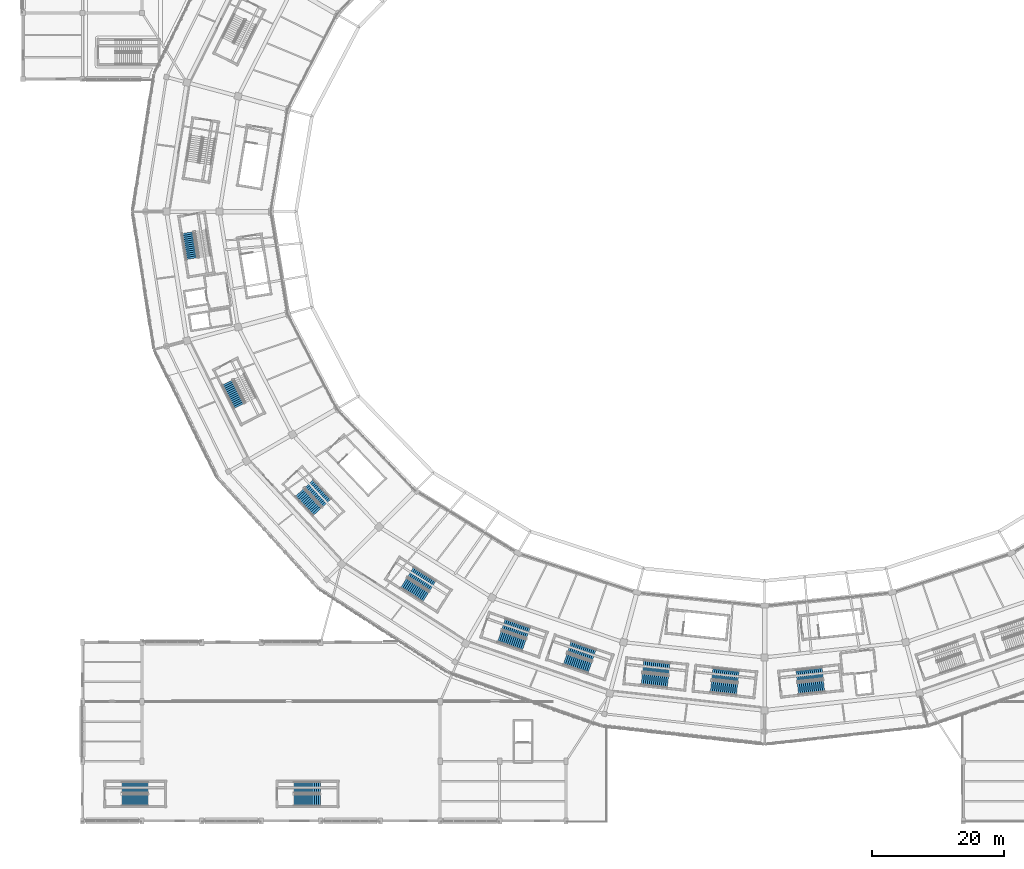
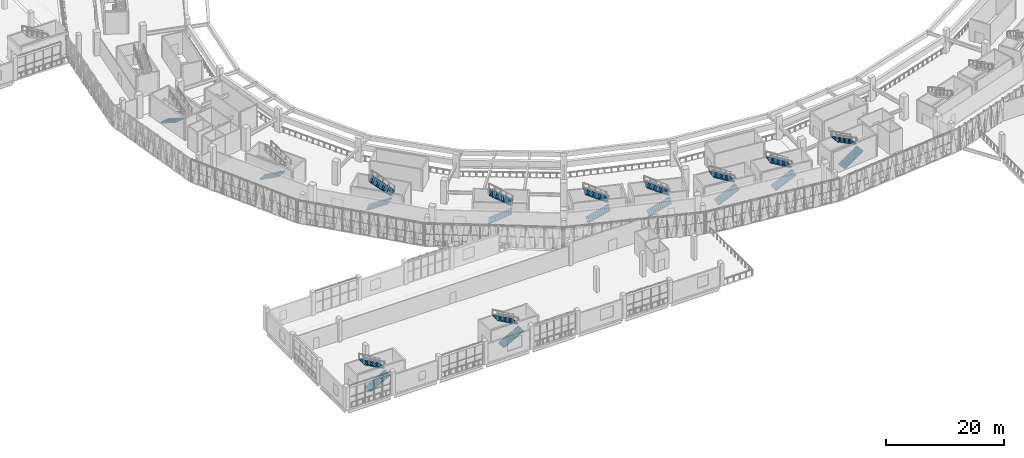
# One storey, part 114 of 179: 20 stair flights, 11 elements without a shape of their own.
"""IFC4 building model written with IfcOpenShell, lengths in metres."""

from ifc_helpers import new_model, si_unit, direction, frame, origin, place, context, subcontext, project, spatial, polyline, outline, extrude, material, type_object, element, aggregate, save


model = new_model("IFC4")

# Units and contexts
model_context = context("Model", 3, precision=1e-05, world=origin(), true_north=direction((0.0, 1.0)))
body_context = subcontext(model_context, "Body", "Model", "MODEL_VIEW")
ifc_project = project(units=[si_unit("LENGTHUNIT", "METRE"), si_unit("AREAUNIT", "SQUARE_METRE"), si_unit("VOLUMEUNIT", "CUBIC_METRE"), si_unit("PLANEANGLEUNIT", "RADIAN"), si_unit("MASSUNIT", "GRAM", prefix="KILO")], contexts=[model_context])

# Site, building, storey
site_placement = place(None, origin())
site = spatial("IfcSite", under=ifc_project, at=site_placement, CompositionType="ELEMENT")
building_placement = place(site_placement, origin())
building = spatial("IfcBuilding", under=site, at=building_placement, Name="Zevraka Park Crest Stadium", CompositionType="ELEMENT")
storey_placement = place(building_placement, frame((0.0, 0.0, 10.199951171875)))
storey = spatial("IfcBuildingStorey", under=building, at=storey_placement, Name="L02", CompositionType="ELEMENT", Elevation=10.199951171875)

# Stair, stair flight
ifc_material_1 = material(Name="Concrete C35/45", Category="concrete")
stair_type_1 = type_object("IfcStairType", Name="STA2", PredefinedType="HALF_TURN_STAIR", material=ifc_material_1)
stair_1_placement = place(storey_placement, origin())
stair_1 = element("IfcStair", 1, at=stair_1_placement, inside=storey, type_object=stair_type_1, Name="L02 Protected Concourse Exit Stair ST13", PredefinedType="HALF_TURN_STAIR")
ifc_material_2 = material(Name="Concrete C35/45", Category="concrete")
stair_flight_type_1 = type_object("IfcStairFlightType", Name="FLA2", PredefinedType="STRAIGHT", material=ifc_material_2)
stair_flight_1_placement = place(storey_placement, frame((24.9140625, 88.82666015625, 0.0), z_axis=(0.0, 0.0, 1.0), x_axis=(0.157261853897, -0.987556939781, 0.0)))
stair_flight_1 = element("IfcStairFlight", 2, at=stair_flight_1_placement, type_object=stair_flight_type_1, Name="ST13 flight 1", NumberOfRisers=14, NumberOfTreads=13, PredefinedType="STRAIGHT", RiserHeight=0.171428571, TreadLength=0.305, context=body_context, shape_type="SweptSolid", body=[
    extrude(outline(polyline([(0.0, 0.0), (0.0, 0.17138671875), (0.304931640625, 0.17138671875), (0.304931640625, 0.3427734375), (0.610107421875, 0.3427734375), (0.610107421875, 0.514404296875), (0.9150390625, 0.514404296875), (0.9150390625, 0.685791015625), (1.219970703125, 0.685791015625), (1.219970703125, 0.857177734375), (1.52490234375, 0.857177734375), (1.52490234375, 1.028564453125), (1.830078125, 1.028564453125), (1.830078125, 1.199951171875), (2.135009765625, 1.199951171875), (2.135009765625, 1.371337890625), (2.43994140625, 1.371337890625), (2.43994140625, 1.54296875), (2.7451171875, 1.54296875), (2.7451171875, 1.71435546875), (3.050048828125, 1.71435546875), (3.050048828125, 1.8857421875), (3.35498046875, 1.8857421875), (3.35498046875, 2.05712890625), (3.659912109375, 2.05712890625), (3.659912109375, 2.228515625), (3.965087890625, 2.228515625), (3.965087890625, 2.39990234375), (3.965087890625, 2.045166015625), (0.326416015625, 0.0), (0.0, 0.0)])), frame((0.0, 0.89990234375, 0.0), z_axis=(0.0, -1.0, 0.0), x_axis=(1.0, 0.0, 0.0)), (0.0, 0.0, 1.0), 1.800048828125),
])
aggregate(stair_1, [stair_flight_1])

stair_2_placement = place(storey_placement, origin())
stair_2 = element("IfcStair", 3, at=stair_2_placement, inside=storey, type_object=stair_type_1, Name="L02 Protected Concourse Exit Stair ST14", PredefinedType="HALF_TURN_STAIR")
stair_flight_2_placement = place(storey_placement, frame((30.8935546875, 66.2060546875, 0.0), z_axis=(0.0, 0.0, 1.0), x_axis=(0.447915140373, -0.894076074518, 0.0)))
stair_flight_2 = element("IfcStairFlight", 4, at=stair_flight_2_placement, type_object=stair_flight_type_1, Name="ST14 flight 1", NumberOfRisers=14, NumberOfTreads=13, PredefinedType="STRAIGHT", RiserHeight=0.171428571, TreadLength=0.305, context=body_context, shape_type="SweptSolid", body=[
    extrude(outline(polyline([(0.0, 0.0), (0.0, 0.17138671875), (0.304931640625, 0.17138671875), (0.304931640625, 0.3427734375), (0.610107421875, 0.3427734375), (0.610107421875, 0.514404296875), (0.9150390625, 0.514404296875), (0.9150390625, 0.685791015625), (1.219970703125, 0.685791015625), (1.219970703125, 0.857177734375), (1.52490234375, 0.857177734375), (1.52490234375, 1.028564453125), (1.830078125, 1.028564453125), (1.830078125, 1.199951171875), (2.135009765625, 1.199951171875), (2.135009765625, 1.371337890625), (2.43994140625, 1.371337890625), (2.43994140625, 1.54296875), (2.7451171875, 1.54296875), (2.7451171875, 1.71435546875), (3.050048828125, 1.71435546875), (3.050048828125, 1.8857421875), (3.35498046875, 1.8857421875), (3.35498046875, 2.05712890625), (3.659912109375, 2.05712890625), (3.659912109375, 2.228515625), (3.965087890625, 2.228515625), (3.965087890625, 2.39990234375), (3.965087890625, 2.045166015625), (0.326416015625, 0.0), (0.0, 0.0)])), frame((0.0, 0.89990234375, 0.0), z_axis=(0.0, -1.0, 0.0), x_axis=(1.0, 0.0, 0.0)), (0.0, 0.0, 1.0), 1.800048828125),
])
aggregate(stair_2, [stair_flight_2])

# Stair, stair flights
stair_3_placement = place(storey_placement, origin())
stair_3 = element("IfcStair", 5, at=stair_3_placement, inside=storey, type_object=stair_type_1, Name="L02 Protected Concourse Exit Stair ST15", PredefinedType="HALF_TURN_STAIR")
stair_flight_3_placement = place(storey_placement, frame((41.787353515625, 49.603759765625, 0.0), z_axis=(0.0, 0.0, 1.0), x_axis=(0.680255347227, -0.732975212793, 0.0)))
stair_flight_3 = element("IfcStairFlight", 6, at=stair_flight_3_placement, type_object=stair_flight_type_1, Name="ST15 flight 1", NumberOfRisers=14, NumberOfTreads=13, PredefinedType="STRAIGHT", RiserHeight=0.171428571, TreadLength=0.305, context=body_context, shape_type="SweptSolid", body=[
    extrude(outline(polyline([(0.0, 0.0), (0.0, 0.17138671875), (0.304931640625, 0.17138671875), (0.304931640625, 0.3427734375), (0.610107421875, 0.3427734375), (0.610107421875, 0.514404296875), (0.9150390625, 0.514404296875), (0.9150390625, 0.685791015625), (1.219970703125, 0.685791015625), (1.219970703125, 0.857177734375), (1.52490234375, 0.857177734375), (1.52490234375, 1.028564453125), (1.830078125, 1.028564453125), (1.830078125, 1.199951171875), (2.135009765625, 1.199951171875), (2.135009765625, 1.371337890625), (2.43994140625, 1.371337890625), (2.43994140625, 1.54296875), (2.7451171875, 1.54296875), (2.7451171875, 1.71435546875), (3.050048828125, 1.71435546875), (3.050048828125, 1.8857421875), (3.35498046875, 1.8857421875), (3.35498046875, 2.05712890625), (3.659912109375, 2.05712890625), (3.659912109375, 2.228515625), (3.965087890625, 2.228515625), (3.965087890625, 2.39990234375), (3.965087890625, 2.045166015625), (0.326416015625, 0.0), (0.0, 0.0)])), frame((0.0, 0.89990234375, 0.0), z_axis=(0.0, -1.0, 0.0), x_axis=(1.0, 0.0, 0.0)), (0.0, 0.0, 1.0), 1.800048828125),
])
stair_flight_4_placement = place(storey_placement, frame((45.921142578125, 48.03076171875, 2.400146484375), z_axis=(0.0, 0.0, 1.0), x_axis=(-0.680255347227, 0.732975212793, 0.0)))
stair_flight_4 = element("IfcStairFlight", 7, at=stair_flight_4_placement, type_object=stair_flight_type_1, Name="ST15 flight 2", NumberOfRisers=14, NumberOfTreads=13, PredefinedType="STRAIGHT", RiserHeight=0.171428571, TreadLength=0.305, context=body_context, shape_type="SweptSolid", body=[
    extrude(outline(polyline([(0.0, 0.0), (0.0, 0.17138671875), (0.304931640625, 0.17138671875), (0.304931640625, 0.3427734375), (0.610107421875, 0.3427734375), (0.610107421875, 0.514404296875), (0.9150390625, 0.514404296875), (0.9150390625, 0.685791015625), (1.219970703125, 0.685791015625), (1.219970703125, 0.857177734375), (1.52490234375, 0.857177734375), (1.52490234375, 1.028564453125), (1.830078125, 1.028564453125), (1.830078125, 1.199951171875), (2.135009765625, 1.199951171875), (2.135009765625, 1.371337890625), (2.43994140625, 1.371337890625), (2.43994140625, 1.54296875), (2.7451171875, 1.54296875), (2.7451171875, 1.71435546875), (3.050048828125, 1.71435546875), (3.050048828125, 1.8857421875), (3.35498046875, 1.8857421875), (3.35498046875, 2.05712890625), (3.659912109375, 2.05712890625), (3.659912109375, 2.228515625), (3.965087890625, 2.228515625), (3.965087890625, 2.39990234375), (3.965087890625, 2.045166015625), (0.326416015625, 0.0), (0.0, 0.0)])), frame((0.0, 0.89990234375, 0.0), z_axis=(0.0, -1.0, 0.0), x_axis=(1.0, 0.0, 0.0)), (0.0, 0.0, 1.0), 1.800048828125),
])
aggregate(stair_3, [stair_flight_3, stair_flight_4])

stair_4_placement = place(storey_placement, origin())
stair_4 = element("IfcStair", 8, at=stair_4_placement, inside=storey, type_object=stair_type_1, Name="L02 Protected Concourse Exit Stair ST16", PredefinedType="HALF_TURN_STAIR")
stair_flight_5_placement = place(storey_placement, frame((57.4970703125, 35.939697265625, 0.0), z_axis=(0.0, 0.0, 1.0), x_axis=(0.844397122829, -0.535717741874, 0.0)))
stair_flight_5 = element("IfcStairFlight", 9, at=stair_flight_5_placement, type_object=stair_flight_type_1, Name="ST16 flight 1", NumberOfRisers=14, NumberOfTreads=13, PredefinedType="STRAIGHT", RiserHeight=0.171428571, TreadLength=0.305, context=body_context, shape_type="SweptSolid", body=[
    extrude(outline(polyline([(0.0, 0.0), (0.0, 0.17138671875), (0.304931640625, 0.17138671875), (0.304931640625, 0.3427734375), (0.610107421875, 0.3427734375), (0.610107421875, 0.514404296875), (0.9150390625, 0.514404296875), (0.9150390625, 0.685791015625), (1.219970703125, 0.685791015625), (1.219970703125, 0.857177734375), (1.52490234375, 0.857177734375), (1.52490234375, 1.028564453125), (1.830078125, 1.028564453125), (1.830078125, 1.199951171875), (2.135009765625, 1.199951171875), (2.135009765625, 1.371337890625), (2.43994140625, 1.371337890625), (2.43994140625, 1.54296875), (2.7451171875, 1.54296875), (2.7451171875, 1.71435546875), (3.050048828125, 1.71435546875), (3.050048828125, 1.8857421875), (3.35498046875, 1.8857421875), (3.35498046875, 2.05712890625), (3.659912109375, 2.05712890625), (3.659912109375, 2.228515625), (3.965087890625, 2.228515625), (3.965087890625, 2.39990234375), (3.965087890625, 2.045166015625), (0.326416015625, 0.0), (0.0, 0.0)])), frame((0.0, 0.89990234375, 0.0), z_axis=(0.0, -1.0, 0.0), x_axis=(1.0, 0.0, 0.0)), (0.0, 0.0, 1.0), 1.800048828125),
])
stair_flight_6_placement = place(storey_placement, frame((61.895263671875, 35.470458984375, 2.400146484375), z_axis=(0.0, 0.0, 1.0), x_axis=(-0.844397122829, 0.535717741874, 0.0)))
stair_flight_6 = element("IfcStairFlight", 10, at=stair_flight_6_placement, type_object=stair_flight_type_1, Name="ST16 flight 2", NumberOfRisers=14, NumberOfTreads=13, PredefinedType="STRAIGHT", RiserHeight=0.171428571, TreadLength=0.305, context=body_context, shape_type="SweptSolid", body=[
    extrude(outline(polyline([(0.0, 0.0), (0.0, 0.17138671875), (0.304931640625, 0.17138671875), (0.304931640625, 0.3427734375), (0.610107421875, 0.3427734375), (0.610107421875, 0.514404296875), (0.9150390625, 0.514404296875), (0.9150390625, 0.685791015625), (1.219970703125, 0.685791015625), (1.219970703125, 0.857177734375), (1.52490234375, 0.857177734375), (1.52490234375, 1.028564453125), (1.830078125, 1.028564453125), (1.830078125, 1.199951171875), (2.135009765625, 1.199951171875), (2.135009765625, 1.371337890625), (2.43994140625, 1.371337890625), (2.43994140625, 1.54296875), (2.7451171875, 1.54296875), (2.7451171875, 1.71435546875), (3.050048828125, 1.71435546875), (3.050048828125, 1.8857421875), (3.35498046875, 1.8857421875), (3.35498046875, 2.05712890625), (3.659912109375, 2.05712890625), (3.659912109375, 2.228515625), (3.965087890625, 2.228515625), (3.965087890625, 2.39990234375), (3.965087890625, 2.045166015625), (0.326416015625, 0.0), (0.0, 0.0)])), frame((0.0, 0.89990234375, 0.0), z_axis=(0.0, -1.0, 0.0), x_axis=(1.0, 0.0, 0.0)), (0.0, 0.0, 1.0), 1.800048828125),
])
aggregate(stair_4, [stair_flight_5, stair_flight_6])

stair_5_placement = place(storey_placement, origin())
stair_5 = element("IfcStair", 11, at=stair_5_placement, inside=storey, type_object=stair_type_1, Name="L02 Protected Concourse Exit Stair ST17", PredefinedType="HALF_TURN_STAIR")
stair_flight_7_placement = place(storey_placement, frame((71.942626953125, 27.845458984375, 0.0), z_axis=(0.0, 0.0, 1.0), x_axis=(0.946066135515, -0.323973559463, 0.0)))
stair_flight_7 = element("IfcStairFlight", 12, at=stair_flight_7_placement, type_object=stair_flight_type_1, Name="ST17 flight 1", NumberOfRisers=14, NumberOfTreads=13, PredefinedType="STRAIGHT", RiserHeight=0.171428571, TreadLength=0.305, context=body_context, shape_type="SweptSolid", body=[
    extrude(outline(polyline([(0.0, 0.0), (0.0, 0.17138671875), (0.304931640625, 0.17138671875), (0.304931640625, 0.3427734375), (0.610107421875, 0.3427734375), (0.610107421875, 0.514404296875), (0.9150390625, 0.514404296875), (0.9150390625, 0.685791015625), (1.219970703125, 0.685791015625), (1.219970703125, 0.857177734375), (1.52490234375, 0.857177734375), (1.52490234375, 1.028564453125), (1.830078125, 1.028564453125), (1.830078125, 1.199951171875), (2.135009765625, 1.199951171875), (2.135009765625, 1.371337890625), (2.43994140625, 1.371337890625), (2.43994140625, 1.54296875), (2.7451171875, 1.54296875), (2.7451171875, 1.71435546875), (3.050048828125, 1.71435546875), (3.050048828125, 1.8857421875), (3.35498046875, 1.8857421875), (3.35498046875, 2.05712890625), (3.659912109375, 2.05712890625), (3.659912109375, 2.228515625), (3.965087890625, 2.228515625), (3.965087890625, 2.39990234375), (3.965087890625, 2.045166015625), (0.326416015625, 0.0), (0.0, 0.0)])), frame((0.0, 0.89990234375, 0.0), z_axis=(0.0, -1.0, 0.0), x_axis=(1.0, 0.0, 0.0)), (0.0, 0.0, 1.0), 1.800048828125),
])
stair_flight_8_placement = place(storey_placement, frame((76.328857421875, 28.415283203125, 2.400146484375), z_axis=(0.0, 0.0, 1.0), x_axis=(-0.946066135515, 0.323973559463, 0.0)))
stair_flight_8 = element("IfcStairFlight", 13, at=stair_flight_8_placement, type_object=stair_flight_type_1, Name="ST17 flight 2", NumberOfRisers=14, NumberOfTreads=13, PredefinedType="STRAIGHT", RiserHeight=0.171428571, TreadLength=0.305, context=body_context, shape_type="SweptSolid", body=[
    extrude(outline(polyline([(0.0, 0.0), (0.0, 0.17138671875), (0.304931640625, 0.17138671875), (0.304931640625, 0.3427734375), (0.610107421875, 0.3427734375), (0.610107421875, 0.514404296875), (0.9150390625, 0.514404296875), (0.9150390625, 0.685791015625), (1.219970703125, 0.685791015625), (1.219970703125, 0.857177734375), (1.52490234375, 0.857177734375), (1.52490234375, 1.028564453125), (1.830078125, 1.028564453125), (1.830078125, 1.199951171875), (2.135009765625, 1.199951171875), (2.135009765625, 1.371337890625), (2.43994140625, 1.371337890625), (2.43994140625, 1.54296875), (2.7451171875, 1.54296875), (2.7451171875, 1.71435546875), (3.050048828125, 1.71435546875), (3.050048828125, 1.8857421875), (3.35498046875, 1.8857421875), (3.35498046875, 2.05712890625), (3.659912109375, 2.05712890625), (3.659912109375, 2.228515625), (3.965087890625, 2.228515625), (3.965087890625, 2.39990234375), (3.965087890625, 2.045166015625), (0.326416015625, 0.0), (0.0, 0.0)])), frame((0.0, 0.89990234375, 0.0), z_axis=(0.0, -1.0, 0.0), x_axis=(1.0, 0.0, 0.0)), (0.0, 0.0, 1.0), 1.800048828125),
])
aggregate(stair_5, [stair_flight_7, stair_flight_8])

stair_6_placement = place(storey_placement, origin())
stair_6 = element("IfcStair", 14, at=stair_6_placement, inside=storey, type_object=stair_type_1, Name="L02 Protected Concourse Exit Stair ST18", PredefinedType="HALF_TURN_STAIR")
stair_flight_9_placement = place(storey_placement, frame((93.454833984375, 21.43310546875, 0.0), z_axis=(0.0, 0.0, 1.0), x_axis=(0.994127567381, -0.108214508149, 0.0)))
stair_flight_9 = element("IfcStairFlight", 15, at=stair_flight_9_placement, type_object=stair_flight_type_1, Name="ST18 flight 1", NumberOfRisers=14, NumberOfTreads=13, PredefinedType="STRAIGHT", RiserHeight=0.171428571, TreadLength=0.305, context=body_context, shape_type="SweptSolid", body=[
    extrude(outline(polyline([(0.0, 0.0), (0.0, 0.17138671875), (0.304931640625, 0.17138671875), (0.304931640625, 0.3427734375), (0.610107421875, 0.3427734375), (0.610107421875, 0.514404296875), (0.9150390625, 0.514404296875), (0.9150390625, 0.685791015625), (1.219970703125, 0.685791015625), (1.219970703125, 0.857177734375), (1.52490234375, 0.857177734375), (1.52490234375, 1.028564453125), (1.830078125, 1.028564453125), (1.830078125, 1.199951171875), (2.135009765625, 1.199951171875), (2.135009765625, 1.371337890625), (2.43994140625, 1.371337890625), (2.43994140625, 1.54296875), (2.7451171875, 1.54296875), (2.7451171875, 1.71435546875), (3.050048828125, 1.71435546875), (3.050048828125, 1.8857421875), (3.35498046875, 1.8857421875), (3.35498046875, 2.05712890625), (3.659912109375, 2.05712890625), (3.659912109375, 2.228515625), (3.965087890625, 2.228515625), (3.965087890625, 2.39990234375), (3.965087890625, 2.045166015625), (0.326416015625, 0.0), (0.0, 0.0)])), frame((0.0, 0.89990234375, 0.0), z_axis=(0.0, -1.0, 0.0), x_axis=(1.0, 0.0, 0.0)), (0.0, 0.0, 1.0), 1.800048828125),
])
stair_flight_10_placement = place(storey_placement, frame((97.608642578125, 22.95263671875, 2.400146484375), z_axis=(0.0, 0.0, 1.0), x_axis=(-0.994127567381, 0.108214508149, 0.0)))
stair_flight_10 = element("IfcStairFlight", 16, at=stair_flight_10_placement, type_object=stair_flight_type_1, Name="ST18 flight 2", NumberOfRisers=14, NumberOfTreads=13, PredefinedType="STRAIGHT", RiserHeight=0.171428571, TreadLength=0.305, context=body_context, shape_type="SweptSolid", body=[
    extrude(outline(polyline([(0.0, 0.0), (0.0, 0.17138671875), (0.304931640625, 0.17138671875), (0.304931640625, 0.3427734375), (0.610107421875, 0.3427734375), (0.610107421875, 0.514404296875), (0.9150390625, 0.514404296875), (0.9150390625, 0.685791015625), (1.219970703125, 0.685791015625), (1.219970703125, 0.857177734375), (1.52490234375, 0.857177734375), (1.52490234375, 1.028564453125), (1.830078125, 1.028564453125), (1.830078125, 1.199951171875), (2.135009765625, 1.199951171875), (2.135009765625, 1.371337890625), (2.43994140625, 1.371337890625), (2.43994140625, 1.54296875), (2.7451171875, 1.54296875), (2.7451171875, 1.71435546875), (3.050048828125, 1.71435546875), (3.050048828125, 1.8857421875), (3.35498046875, 1.8857421875), (3.35498046875, 2.05712890625), (3.659912109375, 2.05712890625), (3.659912109375, 2.228515625), (3.965087890625, 2.228515625), (3.965087890625, 2.39990234375), (3.965087890625, 2.045166015625), (0.326416015625, 0.0), (0.0, 0.0)])), frame((0.0, 0.89990234375, 0.0), z_axis=(0.0, -1.0, 0.0), x_axis=(1.0, 0.0, 0.0)), (0.0, 0.0, 1.0), 1.800048828125),
])
aggregate(stair_6, [stair_flight_9, stair_flight_10])

stair_7_placement = place(storey_placement, origin())
stair_7 = element("IfcStair", 17, at=stair_7_placement, inside=storey, type_object=stair_type_1, Name="L02 Protected Concourse Exit Stair ST19", PredefinedType="HALF_TURN_STAIR")
stair_flight_11_placement = place(storey_placement, frame((117.02490234375, 19.961181640625, 0.0), z_axis=(0.0, 0.0, 1.0), x_axis=(0.994127567381, 0.108214508149, 0.0)))
stair_flight_11 = element("IfcStairFlight", 18, at=stair_flight_11_placement, type_object=stair_flight_type_1, Name="ST19 flight 1", NumberOfRisers=14, NumberOfTreads=13, PredefinedType="STRAIGHT", RiserHeight=0.171428571, TreadLength=0.305, context=body_context, shape_type="SweptSolid", body=[
    extrude(outline(polyline([(0.0, 0.0), (0.0, 0.17138671875), (0.304931640625, 0.17138671875), (0.304931640625, 0.3427734375), (0.610107421875, 0.3427734375), (0.610107421875, 0.514404296875), (0.9150390625, 0.514404296875), (0.9150390625, 0.685791015625), (1.219970703125, 0.685791015625), (1.219970703125, 0.857177734375), (1.52490234375, 0.857177734375), (1.52490234375, 1.028564453125), (1.830078125, 1.028564453125), (1.830078125, 1.199951171875), (2.135009765625, 1.199951171875), (2.135009765625, 1.371337890625), (2.43994140625, 1.371337890625), (2.43994140625, 1.54296875), (2.7451171875, 1.54296875), (2.7451171875, 1.71435546875), (3.050048828125, 1.71435546875), (3.050048828125, 1.8857421875), (3.35498046875, 1.8857421875), (3.35498046875, 2.05712890625), (3.659912109375, 2.05712890625), (3.659912109375, 2.228515625), (3.965087890625, 2.228515625), (3.965087890625, 2.39990234375), (3.965087890625, 2.045166015625), (0.326416015625, 0.0), (0.0, 0.0)])), frame((0.0, 0.89990234375, 0.0), z_axis=(0.0, -1.0, 0.0), x_axis=(1.0, 0.0, 0.0)), (0.0, 0.0, 1.0), 1.800048828125),
])
stair_flight_12_placement = place(storey_placement, frame((120.754638671875, 22.3388671875, 2.400146484375), z_axis=(0.0, 0.0, 1.0), x_axis=(-0.994127567381, -0.108214508149, 0.0)))
stair_flight_12 = element("IfcStairFlight", 19, at=stair_flight_12_placement, type_object=stair_flight_type_1, Name="ST19 flight 2", NumberOfRisers=14, NumberOfTreads=13, PredefinedType="STRAIGHT", RiserHeight=0.171428571, TreadLength=0.305, context=body_context, shape_type="SweptSolid", body=[
    extrude(outline(polyline([(0.0, 0.0), (0.0, 0.17138671875), (0.304931640625, 0.17138671875), (0.304931640625, 0.3427734375), (0.610107421875, 0.3427734375), (0.610107421875, 0.514404296875), (0.9150390625, 0.514404296875), (0.9150390625, 0.685791015625), (1.219970703125, 0.685791015625), (1.219970703125, 0.857177734375), (1.52490234375, 0.857177734375), (1.52490234375, 1.028564453125), (1.830078125, 1.028564453125), (1.830078125, 1.199951171875), (2.135009765625, 1.199951171875), (2.135009765625, 1.371337890625), (2.43994140625, 1.371337890625), (2.43994140625, 1.54296875), (2.7451171875, 1.54296875), (2.7451171875, 1.71435546875), (3.050048828125, 1.71435546875), (3.050048828125, 1.8857421875), (3.35498046875, 1.8857421875), (3.35498046875, 2.05712890625), (3.659912109375, 2.05712890625), (3.659912109375, 2.228515625), (3.965087890625, 2.228515625), (3.965087890625, 2.39990234375), (3.965087890625, 2.045166015625), (0.326416015625, 0.0), (0.0, 0.0)])), frame((0.0, 0.89990234375, 0.0), z_axis=(0.0, -1.0, 0.0), x_axis=(1.0, 0.0, 0.0)), (0.0, 0.0, 1.0), 1.800048828125),
])
aggregate(stair_7, [stair_flight_11, stair_flight_12])

stair_8_placement = place(storey_placement, origin())
stair_8 = element("IfcStair", 20, at=stair_8_placement, inside=storey, type_object=stair_type_1, Name="L02 Protected Paired Concourse Exit Stair ST29", PredefinedType="HALF_TURN_STAIR")
stair_flight_13_placement = place(storey_placement, frame((81.876708984375, 24.444580078125, 0.0), z_axis=(0.0, 0.0, 1.0), x_axis=(0.946066135515, -0.323973559463, 0.0)))
stair_flight_13 = element("IfcStairFlight", 21, at=stair_flight_13_placement, type_object=stair_flight_type_1, Name="ST29 flight 1", NumberOfRisers=14, NumberOfTreads=13, PredefinedType="STRAIGHT", RiserHeight=0.171428571, TreadLength=0.305, context=body_context, shape_type="SweptSolid", body=[
    extrude(outline(polyline([(0.0, 0.0), (0.0, 0.17138671875), (0.304931640625, 0.17138671875), (0.304931640625, 0.3427734375), (0.610107421875, 0.3427734375), (0.610107421875, 0.514404296875), (0.9150390625, 0.514404296875), (0.9150390625, 0.685791015625), (1.219970703125, 0.685791015625), (1.219970703125, 0.857177734375), (1.52490234375, 0.857177734375), (1.52490234375, 1.028564453125), (1.830078125, 1.028564453125), (1.830078125, 1.199951171875), (2.135009765625, 1.199951171875), (2.135009765625, 1.371337890625), (2.43994140625, 1.371337890625), (2.43994140625, 1.54296875), (2.7451171875, 1.54296875), (2.7451171875, 1.71435546875), (3.050048828125, 1.71435546875), (3.050048828125, 1.8857421875), (3.35498046875, 1.8857421875), (3.35498046875, 2.05712890625), (3.659912109375, 2.05712890625), (3.659912109375, 2.228515625), (3.965087890625, 2.228515625), (3.965087890625, 2.39990234375), (3.965087890625, 2.045166015625), (0.326416015625, 0.0), (0.0, 0.0)])), frame((0.0, 0.89990234375, 0.0), z_axis=(0.0, -1.0, 0.0), x_axis=(1.0, 0.0, 0.0)), (0.0, 0.0, 1.0), 1.800048828125),
])
stair_flight_14_placement = place(storey_placement, frame((86.262939453125, 25.01416015625, 2.400146484375), z_axis=(0.0, 0.0, 1.0), x_axis=(-0.946066135515, 0.323973559463, 0.0)))
stair_flight_14 = element("IfcStairFlight", 22, at=stair_flight_14_placement, type_object=stair_flight_type_1, Name="ST29 flight 2", NumberOfRisers=14, NumberOfTreads=13, PredefinedType="STRAIGHT", RiserHeight=0.171428571, TreadLength=0.305, context=body_context, shape_type="SweptSolid", body=[
    extrude(outline(polyline([(0.0, 0.0), (0.0, 0.17138671875), (0.304931640625, 0.17138671875), (0.304931640625, 0.3427734375), (0.610107421875, 0.3427734375), (0.610107421875, 0.514404296875), (0.9150390625, 0.514404296875), (0.9150390625, 0.685791015625), (1.219970703125, 0.685791015625), (1.219970703125, 0.857177734375), (1.52490234375, 0.857177734375), (1.52490234375, 1.028564453125), (1.830078125, 1.028564453125), (1.830078125, 1.199951171875), (2.135009765625, 1.199951171875), (2.135009765625, 1.371337890625), (2.43994140625, 1.371337890625), (2.43994140625, 1.54296875), (2.7451171875, 1.54296875), (2.7451171875, 1.71435546875), (3.050048828125, 1.71435546875), (3.050048828125, 1.8857421875), (3.35498046875, 1.8857421875), (3.35498046875, 2.05712890625), (3.659912109375, 2.05712890625), (3.659912109375, 2.228515625), (3.965087890625, 2.228515625), (3.965087890625, 2.39990234375), (3.965087890625, 2.045166015625), (0.326416015625, 0.0), (0.0, 0.0)])), frame((0.0, 0.89990234375, 0.0), z_axis=(0.0, -1.0, 0.0), x_axis=(1.0, 0.0, 0.0)), (0.0, 0.0, 1.0), 1.800048828125),
])
aggregate(stair_8, [stair_flight_13, stair_flight_14])

stair_9_placement = place(storey_placement, origin())
stair_9 = element("IfcStair", 23, at=stair_9_placement, inside=storey, type_object=stair_type_1, Name="L02 Protected Paired Concourse Exit Stair ST30", PredefinedType="HALF_TURN_STAIR")
stair_flight_15_placement = place(storey_placement, frame((103.892822265625, 20.297119140625, 0.0), z_axis=(0.0, 0.0, 1.0), x_axis=(0.994127567381, -0.108214508149, 0.0)))
stair_flight_15 = element("IfcStairFlight", 24, at=stair_flight_15_placement, type_object=stair_flight_type_1, Name="ST30 flight 1", NumberOfRisers=14, NumberOfTreads=13, PredefinedType="STRAIGHT", RiserHeight=0.171428571, TreadLength=0.305, context=body_context, shape_type="SweptSolid", body=[
    extrude(outline(polyline([(0.0, 0.0), (0.0, 0.17138671875), (0.304931640625, 0.17138671875), (0.304931640625, 0.3427734375), (0.610107421875, 0.3427734375), (0.610107421875, 0.514404296875), (0.9150390625, 0.514404296875), (0.9150390625, 0.685791015625), (1.219970703125, 0.685791015625), (1.219970703125, 0.857177734375), (1.52490234375, 0.857177734375), (1.52490234375, 1.028564453125), (1.830078125, 1.028564453125), (1.830078125, 1.199951171875), (2.135009765625, 1.199951171875), (2.135009765625, 1.371337890625), (2.43994140625, 1.371337890625), (2.43994140625, 1.54296875), (2.7451171875, 1.54296875), (2.7451171875, 1.71435546875), (3.050048828125, 1.71435546875), (3.050048828125, 1.8857421875), (3.35498046875, 1.8857421875), (3.35498046875, 2.05712890625), (3.659912109375, 2.05712890625), (3.659912109375, 2.228515625), (3.965087890625, 2.228515625), (3.965087890625, 2.39990234375), (3.965087890625, 2.045166015625), (0.326416015625, 0.0), (0.0, 0.0)])), frame((0.0, 0.89990234375, 0.0), z_axis=(0.0, -1.0, 0.0), x_axis=(1.0, 0.0, 0.0)), (0.0, 0.0, 1.0), 1.800048828125),
])
stair_flight_16_placement = place(storey_placement, frame((108.046630859375, 21.816650390625, 2.400146484375), z_axis=(0.0, 0.0, 1.0), x_axis=(-0.994127567381, 0.108214508149, 0.0)))
stair_flight_16 = element("IfcStairFlight", 25, at=stair_flight_16_placement, type_object=stair_flight_type_1, Name="ST30 flight 2", NumberOfRisers=14, NumberOfTreads=13, PredefinedType="STRAIGHT", RiserHeight=0.171428571, TreadLength=0.305, context=body_context, shape_type="SweptSolid", body=[
    extrude(outline(polyline([(0.0, 0.0), (0.0, 0.17138671875), (0.304931640625, 0.17138671875), (0.304931640625, 0.3427734375), (0.610107421875, 0.3427734375), (0.610107421875, 0.514404296875), (0.9150390625, 0.514404296875), (0.9150390625, 0.685791015625), (1.219970703125, 0.685791015625), (1.219970703125, 0.857177734375), (1.52490234375, 0.857177734375), (1.52490234375, 1.028564453125), (1.830078125, 1.028564453125), (1.830078125, 1.199951171875), (2.135009765625, 1.199951171875), (2.135009765625, 1.371337890625), (2.43994140625, 1.371337890625), (2.43994140625, 1.54296875), (2.7451171875, 1.54296875), (2.7451171875, 1.71435546875), (3.050048828125, 1.71435546875), (3.050048828125, 1.8857421875), (3.35498046875, 1.8857421875), (3.35498046875, 2.05712890625), (3.659912109375, 2.05712890625), (3.659912109375, 2.228515625), (3.965087890625, 2.228515625), (3.965087890625, 2.39990234375), (3.965087890625, 2.045166015625), (0.326416015625, 0.0), (0.0, 0.0)])), frame((0.0, 0.89990234375, 0.0), z_axis=(0.0, -1.0, 0.0), x_axis=(1.0, 0.0, 0.0)), (0.0, 0.0, 1.0), 1.800048828125),
])
aggregate(stair_9, [stair_flight_15, stair_flight_16])

ifc_material_3 = material(Name="Concrete C35/45", Category="concrete")
stair_type_2 = type_object("IfcStairType", Name="STC2", PredefinedType="HALF_TURN_STAIR", material=ifc_material_3)
stair_10_placement = place(storey_placement, origin())
stair_10 = element("IfcStair", 26, at=stair_10_placement, inside=storey, type_object=stair_type_2, Name="L02 South Broadcast Wing West Stair ST51", PredefinedType="HALF_TURN_STAIR")
ifc_material_4 = material(Name="Concrete C35/45", Category="concrete")
stair_flight_type_2 = type_object("IfcStairFlightType", Name="FLC2", PredefinedType="STRAIGHT", material=ifc_material_4)
stair_flight_17_placement = place(storey_placement, frame((14.949951171875, 3.125, 0.0), z_axis=(0.0, 0.0, 1.0), x_axis=(1.0, 0.0, 0.0)))
stair_flight_17 = element("IfcStairFlight", 27, at=stair_flight_17_placement, type_object=stair_flight_type_2, Name="ST51 flight 1", NumberOfRisers=14, NumberOfTreads=13, PredefinedType="STRAIGHT", RiserHeight=0.171428571, TreadLength=0.305, context=body_context, shape_type="SweptSolid", body=[
    extrude(outline(polyline([(0.0, 0.0), (0.0, 0.17138671875), (0.304931640625, 0.17138671875), (0.304931640625, 0.3427734375), (0.610107421875, 0.3427734375), (0.610107421875, 0.514404296875), (0.9150390625, 0.514404296875), (0.9150390625, 0.685791015625), (1.219970703125, 0.685791015625), (1.219970703125, 0.857177734375), (1.52490234375, 0.857177734375), (1.52490234375, 1.028564453125), (1.830078125, 1.028564453125), (1.830078125, 1.199951171875), (2.135009765625, 1.199951171875), (2.135009765625, 1.371337890625), (2.43994140625, 1.371337890625), (2.43994140625, 1.54296875), (2.7451171875, 1.54296875), (2.7451171875, 1.71435546875), (3.050048828125, 1.71435546875), (3.050048828125, 1.8857421875), (3.35498046875, 1.8857421875), (3.35498046875, 2.05712890625), (3.659912109375, 2.05712890625), (3.659912109375, 2.228515625), (3.965087890625, 2.228515625), (3.965087890625, 2.39990234375), (3.965087890625, 2.045166015625), (0.326416015625, 0.0), (0.0, 0.0)])), frame((0.0, 0.875, 0.0), z_axis=(0.0, -1.0, 0.0), x_axis=(1.0, 0.0, 0.0)), (0.0, 0.0, 1.0), 1.75),
])
stair_flight_18_placement = place(storey_placement, frame((18.9150390625, 5.034912109375, 2.400146484375), z_axis=(0.0, 0.0, 1.0), x_axis=(-1.0, 0.0, 0.0)))
stair_flight_18 = element("IfcStairFlight", 28, at=stair_flight_18_placement, type_object=stair_flight_type_2, Name="ST51 flight 2", NumberOfRisers=14, NumberOfTreads=13, PredefinedType="STRAIGHT", RiserHeight=0.171428571, TreadLength=0.305, context=body_context, shape_type="SweptSolid", body=[
    extrude(outline(polyline([(0.0, 0.0), (0.0, 0.17138671875), (0.304931640625, 0.17138671875), (0.304931640625, 0.3427734375), (0.610107421875, 0.3427734375), (0.610107421875, 0.514404296875), (0.9150390625, 0.514404296875), (0.9150390625, 0.685791015625), (1.219970703125, 0.685791015625), (1.219970703125, 0.857177734375), (1.52490234375, 0.857177734375), (1.52490234375, 1.028564453125), (1.830078125, 1.028564453125), (1.830078125, 1.199951171875), (2.135009765625, 1.199951171875), (2.135009765625, 1.371337890625), (2.43994140625, 1.371337890625), (2.43994140625, 1.54296875), (2.7451171875, 1.54296875), (2.7451171875, 1.71435546875), (3.050048828125, 1.71435546875), (3.050048828125, 1.8857421875), (3.35498046875, 1.8857421875), (3.35498046875, 2.05712890625), (3.659912109375, 2.05712890625), (3.659912109375, 2.228515625), (3.965087890625, 2.228515625), (3.965087890625, 2.39990234375), (3.965087890625, 2.045166015625), (0.326416015625, 0.0), (0.0, 0.0)])), frame((0.0, 0.875, 0.0), z_axis=(0.0, -1.0, 0.0), x_axis=(1.0, 0.0, 0.0)), (0.0, 0.0, 1.0), 1.75),
])
aggregate(stair_10, [stair_flight_17, stair_flight_18])

stair_11_placement = place(storey_placement, origin())
stair_11 = element("IfcStair", 29, at=stair_11_placement, inside=storey, type_object=stair_type_2, Name="L02 South Broadcast Wing East Stair ST52", PredefinedType="HALF_TURN_STAIR")
stair_flight_19_placement = place(storey_placement, frame((40.949951171875, 3.125, 0.0), z_axis=(0.0, 0.0, 1.0), x_axis=(1.0, 0.0, 0.0)))
stair_flight_19 = element("IfcStairFlight", 30, at=stair_flight_19_placement, type_object=stair_flight_type_2, Name="ST52 flight 1", NumberOfRisers=14, NumberOfTreads=13, PredefinedType="STRAIGHT", RiserHeight=0.171428571, TreadLength=0.305, context=body_context, shape_type="SweptSolid", body=[
    extrude(outline(polyline([(0.0, 0.0), (0.0, 0.17138671875), (0.304931640625, 0.17138671875), (0.304931640625, 0.3427734375), (0.610107421875, 0.3427734375), (0.610107421875, 0.514404296875), (0.9150390625, 0.514404296875), (0.9150390625, 0.685791015625), (1.219970703125, 0.685791015625), (1.219970703125, 0.857177734375), (1.52490234375, 0.857177734375), (1.52490234375, 1.028564453125), (1.830078125, 1.028564453125), (1.830078125, 1.199951171875), (2.135009765625, 1.199951171875), (2.135009765625, 1.371337890625), (2.43994140625, 1.371337890625), (2.43994140625, 1.54296875), (2.7451171875, 1.54296875), (2.7451171875, 1.71435546875), (3.050048828125, 1.71435546875), (3.050048828125, 1.8857421875), (3.35498046875, 1.8857421875), (3.35498046875, 2.05712890625), (3.659912109375, 2.05712890625), (3.659912109375, 2.228515625), (3.965087890625, 2.228515625), (3.965087890625, 2.39990234375), (3.965087890625, 2.045166015625), (0.326416015625, 0.0), (0.0, 0.0)])), frame((0.0, 0.875, 0.0), z_axis=(0.0, -1.0, 0.0), x_axis=(1.0, 0.0, 0.0)), (0.0, 0.0, 1.0), 1.75),
])
stair_flight_20_placement = place(storey_placement, frame((44.9150390625, 5.034912109375, 2.400146484375), z_axis=(0.0, 0.0, 1.0), x_axis=(-1.0, 0.0, 0.0)))
stair_flight_20 = element("IfcStairFlight", 31, at=stair_flight_20_placement, type_object=stair_flight_type_2, Name="ST52 flight 2", NumberOfRisers=14, NumberOfTreads=13, PredefinedType="STRAIGHT", RiserHeight=0.171428571, TreadLength=0.305, context=body_context, shape_type="SweptSolid", body=[
    extrude(outline(polyline([(0.0, 0.0), (0.0, 0.17138671875), (0.304931640625, 0.17138671875), (0.304931640625, 0.3427734375), (0.610107421875, 0.3427734375), (0.610107421875, 0.514404296875), (0.9150390625, 0.514404296875), (0.9150390625, 0.685791015625), (1.219970703125, 0.685791015625), (1.219970703125, 0.857177734375), (1.52490234375, 0.857177734375), (1.52490234375, 1.028564453125), (1.830078125, 1.028564453125), (1.830078125, 1.199951171875), (2.135009765625, 1.199951171875), (2.135009765625, 1.371337890625), (2.43994140625, 1.371337890625), (2.43994140625, 1.54296875), (2.7451171875, 1.54296875), (2.7451171875, 1.71435546875), (3.050048828125, 1.71435546875), (3.050048828125, 1.8857421875), (3.35498046875, 1.8857421875), (3.35498046875, 2.05712890625), (3.659912109375, 2.05712890625), (3.659912109375, 2.228515625), (3.965087890625, 2.228515625), (3.965087890625, 2.39990234375), (3.965087890625, 2.045166015625), (0.326416015625, 0.0), (0.0, 0.0)])), frame((0.0, 0.875, 0.0), z_axis=(0.0, -1.0, 0.0), x_axis=(1.0, 0.0, 0.0)), (0.0, 0.0, 1.0), 1.75),
])
aggregate(stair_11, [stair_flight_19, stair_flight_20])

save(model, "model.ifc")
